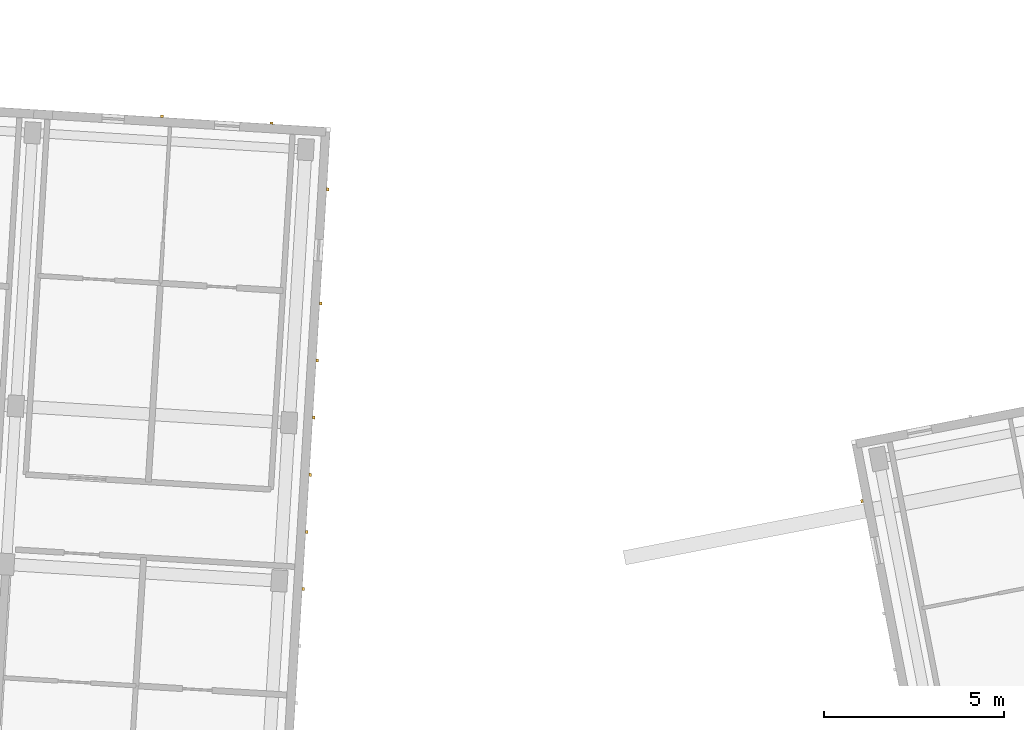
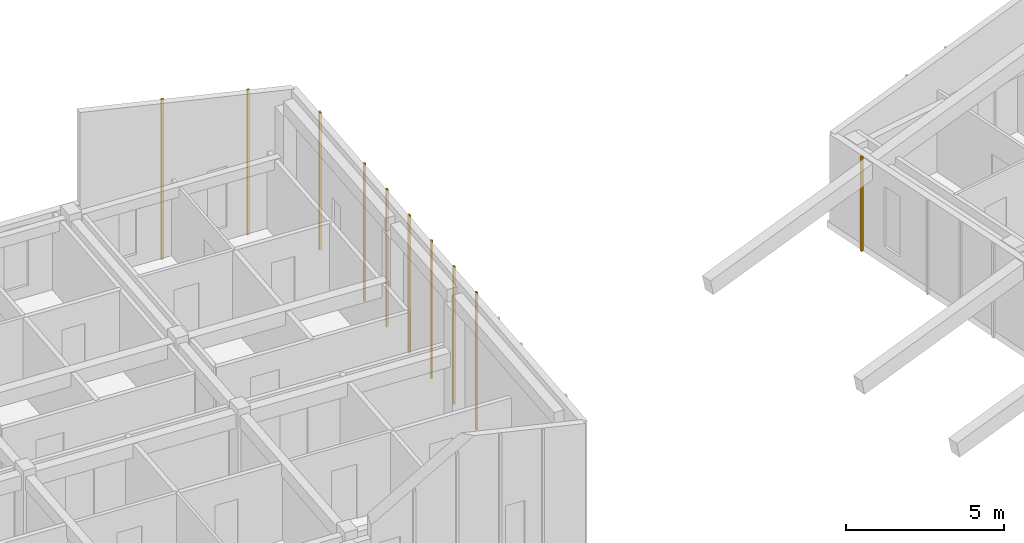
# One storey, part 52 of 64: 10 coverings.
"""IFC4 building model written with IfcOpenShell, lengths in metres."""

from ifc_helpers import new_model, si_unit, direction, frame, origin, origin_2d, place, context, subcontext, project, spatial, rectangle, extrude, material, layer, layer_set, type_object, element, save


model = new_model("IFC4")

# Units and contexts
model_context = context("Model", 3, precision=1e-05, world=origin(), true_north=direction((0.0, 1.0)))
body_context = subcontext(model_context, "Body", "Model", "MODEL_VIEW")
ifc_project = project(units=[si_unit("LENGTHUNIT", "METRE"), si_unit("AREAUNIT", "SQUARE_METRE"), si_unit("VOLUMEUNIT", "CUBIC_METRE"), si_unit("PLANEANGLEUNIT", "RADIAN"), si_unit("MASSUNIT", "GRAM", prefix="KILO")], contexts=[model_context])

# Site, building, storey
site_placement = place(None, origin())
site = spatial("IfcSite", under=ifc_project, at=site_placement, CompositionType="ELEMENT")
building_placement = place(site_placement, origin())
building = spatial("IfcBuilding", under=site, at=building_placement, Name="Kestramere Prow Commons", CompositionType="ELEMENT")
storey_placement = place(building_placement, frame((0.0, 0.0, 24.64990234375)))
storey = spatial("IfcBuildingStorey", under=building, at=storey_placement, Name="L07", CompositionType="ELEMENT", Elevation=24.64990234375)

# Coverings
ifc_material = material(Name="Weathered Zinc-Titanium Standing-Seam Cladding")
ifc_layer = layer(ifc_material, 0.074951171875)
ifc_layer_set = layer_set([ifc_layer], Name="Weathered Zinc-Titanium Standing-Seam Cladding")
covering_type = type_object("IfcCoveringType", Name="COV-CLAD-SEAM", PredefinedType="CLADDING", material=ifc_layer_set)
covering_1_placement = place(storey_placement, frame((102.225341796875, 64.2021484375, -0.25), z_axis=(0.0, 0.0, 1.0), x_axis=(0.998134798422, -0.061048539535, 0.0)))
element("IfcCovering", 1, at=covering_1_placement, inside=storey, type_object=covering_type, Name="EW-C-L07-N-5 Standing-Seam Rib 2", PredefinedType="CLADDING", context=body_context, shape_type="SweptSolid", body=[
    extrude(rectangle(XDim=0.0849609375, YDim=0.06494140625, at=origin_2d()), origin(), (0.0, 0.0, 1.0), 6.21240234375),
])
covering_2_placement = place(storey_placement, frame((105.259765625, 64.0166015625, -0.249755859375), z_axis=(0.0, 0.0, 1.0), x_axis=(0.998134798422, -0.061048539535, 0.0)))
element("IfcCovering", 2, at=covering_2_placement, inside=storey, type_object=covering_type, Name="EW-C-L07-N-5 Standing-Seam Rib 4", PredefinedType="CLADDING", context=body_context, shape_type="SweptSolid", body=[
    extrude(rectangle(XDim=0.0849609375, YDim=0.06494140625, at=origin_2d()), origin(), (0.0, 0.0, 1.0), 5.62744140625),
])
for number, where, z_axis, x_axis, name in (
    (3, (106.82275390625, 62.1767578125, -0.25), (0.0, 0.0, 1.0), (-0.061048539535, -0.998134798422, 0.0), "EW-C-L07-EAV Standing-Seam Rib 1"),
    (4, (106.62890625, 59.005859375, -0.25), (0.0, 0.0, 1.0), (-0.061048539535, -0.998134798422, 0.0), "EW-C-L07-EAV Standing-Seam Rib 3"),
    (5, (106.531982421875, 57.42041015625, -0.25), (0.0, 0.0, 1.0), (-0.061048539535, -0.998134798422, 0.0), "EW-C-L07-EAV Standing-Seam Rib 4"),
    (6, (106.434814453125, 55.834716796875, -0.25), (0.0, 0.0, 1.0), (-0.061048539535, -0.998134798422, 0.0), "EW-C-L07-EAV Standing-Seam Rib 5"),
    (7, (106.337890625, 54.249267578125, -0.25), (0.0, 0.0, 1.0), (-0.061048539535, -0.998134798422, 0.0), "EW-C-L07-EAV Standing-Seam Rib 6"),
    (8, (106.240966796875, 52.663818359375, -0.25), (0.0, 0.0, 1.0), (-0.061048539535, -0.998134798422, 0.0), "EW-C-L07-EAV Standing-Seam Rib 7"),
    (9, (106.14404296875, 51.078369140625, -0.25), (0.0, 0.0, 1.0), (-0.061048539535, -0.998134798422, 0.0), "EW-C-L07-EAV Standing-Seam Rib 8"),
):
    element("IfcCovering", number, at=place(storey_placement, frame(where, z_axis=z_axis, x_axis=x_axis)), inside=storey, type_object=covering_type, Name=name, PredefinedType="CLADDING", context=body_context, shape_type="SweptSolid", body=[
        extrude(rectangle(XDim=0.0849609375, YDim=0.06494140625, at=origin_2d()), origin(), (0.0, 0.0, 1.0), 5.3349609375),
    ])
covering_3_placement = place(storey_placement, frame((121.658447265625, 53.516845703125, -0.25), z_axis=(0.0, 0.0, 1.0), x_axis=(-0.190808995377, 0.981627183448, 0.0)))
element("IfcCovering", 10, at=covering_3_placement, inside=storey, type_object=covering_type, Name="EW-D-L07-EAV Standing-Seam Rib 12", PredefinedType="CLADDING", context=body_context, shape_type="SweptSolid", body=[
    extrude(rectangle(XDim=0.0849609375, YDim=0.06494140625, at=origin_2d()), origin(), (0.0, 0.0, 1.0), 3.6591796875),
])

save(model, "model.ifc")
